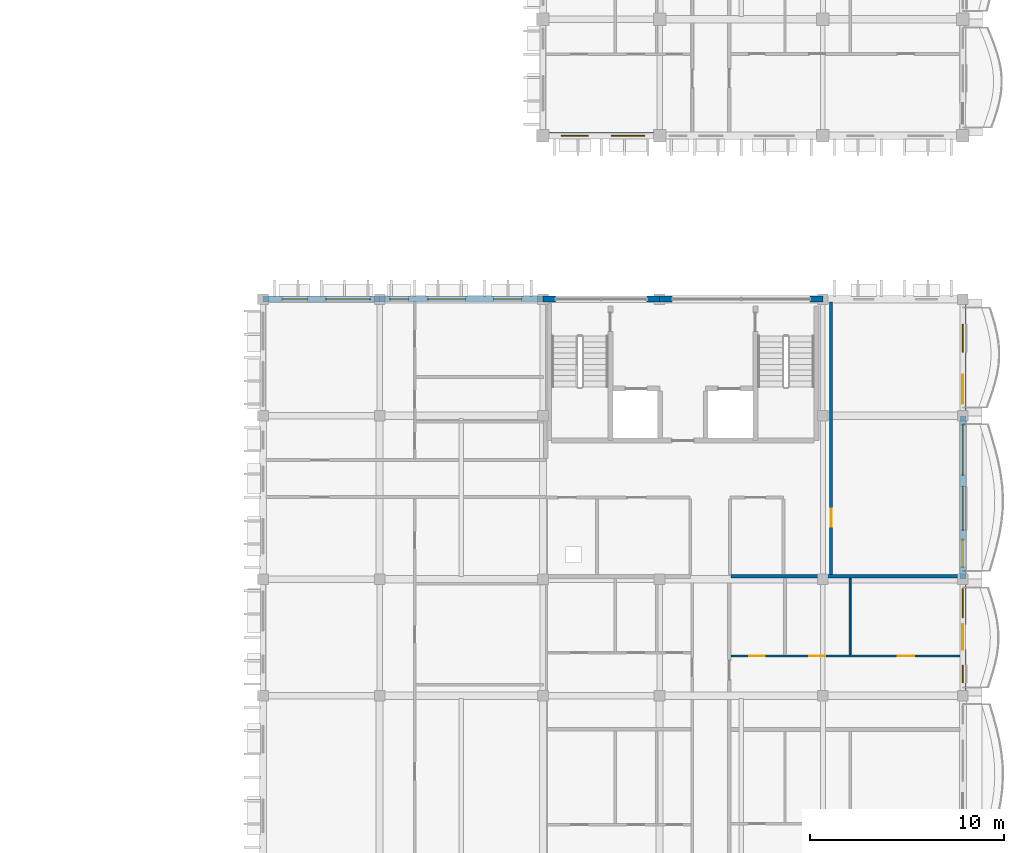
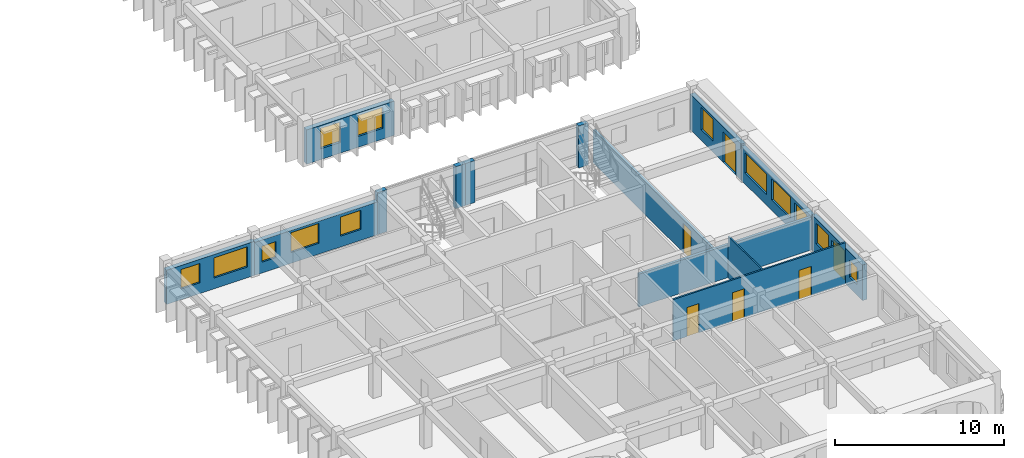
# One storey, part 34 of 70: 14 walls, 12 windows, 7 doors, 19 openings.
"""IFC4 building model written with IfcOpenShell, lengths in metres."""

from ifc_helpers import new_model, si_unit, direction, frame, frame_2d, origin, place, context, subcontext, project, spatial, rectangle, extrude, material, layer, layer_set, type_object, element, fill, save


model = new_model("IFC4")

# Units and contexts
model_context = context("Model", 3, precision=1e-05, world=origin(), true_north=direction((0.0, 1.0)))
body_context = subcontext(model_context, "Body", "Model", "MODEL_VIEW")
ifc_project = project(units=[si_unit("LENGTHUNIT", "METRE"), si_unit("AREAUNIT", "SQUARE_METRE"), si_unit("VOLUMEUNIT", "CUBIC_METRE"), si_unit("PLANEANGLEUNIT", "RADIAN"), si_unit("MASSUNIT", "GRAM", prefix="KILO"), si_unit("THERMODYNAMICTEMPERATUREUNIT", "KELVIN")], contexts=[model_context])

# Site, building, storey
site_placement = place(None, origin())
site = spatial("IfcSite", under=ifc_project, at=site_placement, CompositionType="ELEMENT")
building_placement = place(site_placement, origin())
building = spatial("IfcBuilding", under=site, at=building_placement, Name="Thalorik Housing Commons", CompositionType="ELEMENT")
storey_placement = place(building_placement, frame((0.0, 0.0, 14.699951171875)))
storey = spatial("IfcBuildingStorey", under=building, at=storey_placement, Name="L04", CompositionType="ELEMENT", Elevation=14.699951171875)

# Wall, opening, door
ifc_material_1 = material(Name="Masonry fire-rated corridor wall", Category="masonry")
ifc_layer_1 = layer(ifc_material_1, 0.14990234375, Name="Masonry fire-rated corridor wall", Category="masonry")
ifc_layer_set_1 = layer_set([ifc_layer_1], Name="Masonry fire-rated corridor wall")
wall_type_1 = type_object("IfcWallType", Name="ARC-WAL-CORR-150", PredefinedType="PARTITIONING", material=ifc_layer_set_1)
wall_1_placement = place(storey_placement, frame((167.219970703125, 57.83447265625, 0.0), z_axis=(0.0, 0.0, 1.0), x_axis=(0.0, 1.0, 0.0)))
wall_1 = element("IfcWall", 1, at=wall_1_placement, inside=storey, type_object=wall_type_1, Name="L04 Block D East Studio Wall", PredefinedType="PARTITIONING", context=body_context, shape_type="SweptSolid", body=[
    extrude(rectangle(XDim=14.025634765625, YDim=0.14990234375, at=frame_2d((7.0126953125, 0.0))), origin(), (0.0, 0.0, 1.0), 2.425048828125),
])
opening_1_placement = place(wall_1_placement, frame((2.45556640625, 0.0, 0.0)))
opening_1 = element("IfcOpeningElement", 2, at=opening_1_placement, cuts=wall_1, Name="Opening ID-2066", PredefinedType="OPENING", context=body_context, shape_type="SweptSolid", body=[
    extrude(rectangle(XDim=0.919921875, YDim=2.10009765625, at=frame_2d((0.4599609375, 1.050048828125))), frame((0.0, 0.0849609375, 0.0), z_axis=(0.0, -1.0, 0.0), x_axis=(1.0, 0.0, 0.0)), (0.0, 0.0, 1.0), 0.169921875),
])
ifc_material_2 = material(Name="Solid core hardwood timber", Category="wood")
door_type_1 = type_object("IfcDoorType", Name="ARC-DR-FD30-920", OperationType="NOTDEFINED", PredefinedType="DOOR", material=ifc_material_2)
door_1_placement = place(opening_1_placement, origin())
door_1 = element("IfcDoor", 3, at=door_1_placement, inside=storey, type_object=door_type_1, Name="L04 Block D East Room Door", OperationType="SINGLE_SWING_LEFT", OverallHeight=2.10009765625, OverallWidth=0.919921875, PredefinedType="DOOR", context=body_context, shape_type="SweptSolid", body=[
    extrude(rectangle(XDim=0.919921875, YDim=2.10009765625, at=frame_2d((0.4599609375, 1.050048828125))), frame((0.0, 0.02490234375, 0.0), z_axis=(0.0, -1.0, 0.0), x_axis=(1.0, 0.0, 0.0)), (0.0, 0.0, 1.0), 0.050048828125),
])
fill(opening_1, door_1)

# Wall, openings, windows
ifc_material_3 = material(Name="White precast concrete C40/50", Category="concrete")
ifc_layer_2 = layer(ifc_material_3, 0.304931640625, Name="White precast concrete C40/50", Category="concrete")
ifc_layer_set_2 = layer_set([ifc_layer_2], Name="White precast concrete C40/50")
wall_type_2 = type_object("IfcWallType", Name="ARC-WAL-EXT-305", PredefinedType="STANDARD", material=ifc_layer_set_2)
wall_2_placement = place(storey_placement, frame((152.39990234375, 72.0, 0.0), z_axis=(0.0, 0.0, 1.0), x_axis=(-1.0, 0.0, 0.0)))
wall_2 = element("IfcWall", 4, at=wall_2_placement, inside=storey, type_object=wall_type_2, Name="L04 Exterior Wall WAL-EXT-L04-D-1185", PredefinedType="STANDARD", context=body_context, shape_type="SweptSolid", body=[
    extrude(rectangle(XDim=8.39990234375, YDim=0.304931640625, at=frame_2d((4.199951171875, 0.0))), origin(), (0.0, 0.0, 1.0), 2.375),
])
opening_2_placement = place(wall_2_placement, frame((1.114990234375, 0.0, 0.780029296875)))
opening_2 = element("IfcOpeningElement", 5, at=opening_2_placement, cuts=wall_2, Name="Opening W-50", PredefinedType="OPENING", context=body_context, shape_type="SweptSolid", body=[
    extrude(rectangle(XDim=1.419921875, YDim=1.3798828125, at=frame_2d((0.7099609375, 0.68994140625))), frame((0.0, 0.16259765625, 0.0), z_axis=(0.0, -1.0, 0.0), x_axis=(1.0, 0.0, 0.0)), (0.0, 0.0, 1.0), 0.324951171875),
])
opening_3_placement = place(wall_2_placement, frame((3.99462890625, 0.0, 0.780029296875)))
opening_3 = element("IfcOpeningElement", 6, at=opening_3_placement, cuts=wall_2, Name="Opening W-60", PredefinedType="OPENING", context=body_context, shape_type="SweptSolid", body=[
    extrude(rectangle(XDim=1.919921875, YDim=1.43994140625, at=frame_2d((0.9599609375, 0.719970703125))), frame((0.0, 0.16259765625, 0.0), z_axis=(0.0, -1.0, 0.0), x_axis=(1.0, 0.0, 0.0)), (0.0, 0.0, 1.0), 0.324951171875),
])
opening_4_placement = place(wall_2_placement, frame((6.9248046875, 0.0, 0.780029296875)))
opening_4 = element("IfcOpeningElement", 7, at=opening_4_placement, cuts=wall_2, Name="Opening W-43", PredefinedType="OPENING", context=body_context, shape_type="SweptSolid", body=[
    extrude(rectangle(XDim=0.949951171875, YDim=1.14990234375, at=frame_2d((0.47509765625, 0.574951171875))), frame((0.0, 0.16259765625, 0.0), z_axis=(0.0, -1.0, 0.0), x_axis=(1.0, 0.0, 0.0)), (0.0, 0.0, 1.0), 0.324951171875),
])
ifc_material_4 = material(Name="Anodised aluminium and solar-control low-E glass", Category="aluminium")
window_type_1 = type_object("IfcWindowType", Name="ARC-WIN-43", PartitioningType="SINGLE_PANEL", PredefinedType="WINDOW", material=ifc_material_4)
window_1_placement = place(opening_4_placement, origin())
window_1 = element("IfcWindow", 8, at=window_1_placement, inside=storey, type_object=window_type_1, Name="L04 Facade Window 2167", OverallHeight=1.14990234375, OverallWidth=0.949951171875, PartitioningType="SINGLE_PANEL", PredefinedType="WINDOW", context=body_context, shape_type="SweptSolid", body=[
    extrude(rectangle(XDim=0.949951171875, YDim=1.14990234375, at=frame_2d((0.47509765625, 0.574951171875))), frame((0.0, 0.030029296875, 0.0), z_axis=(0.0, -1.0, 0.0), x_axis=(1.0, 0.0, 0.0)), (0.0, 0.0, 1.0), 0.06005859375),
])
fill(opening_4, window_1)
window_type_2 = type_object("IfcWindowType", Name="ARC-WIN-50", PartitioningType="SINGLE_PANEL", PredefinedType="WINDOW", material=ifc_material_4)
window_2_placement = place(opening_2_placement, origin())
window_2 = element("IfcWindow", 9, at=window_2_placement, inside=storey, type_object=window_type_2, Name="L04 Facade Window 2165", OverallHeight=1.3798828125, OverallWidth=1.419921875, PartitioningType="SINGLE_PANEL", PredefinedType="WINDOW", context=body_context, shape_type="SweptSolid", body=[
    extrude(rectangle(XDim=1.419921875, YDim=1.3798828125, at=frame_2d((0.7099609375, 0.68994140625))), frame((0.0, 0.030029296875, 0.0), z_axis=(0.0, -1.0, 0.0), x_axis=(1.0, 0.0, 0.0)), (0.0, 0.0, 1.0), 0.06005859375),
])
fill(opening_2, window_2)
window_type_3 = type_object("IfcWindowType", Name="ARC-WIN-60", PartitioningType="DOUBLE_PANEL_VERTICAL", PredefinedType="WINDOW", material=ifc_material_4)
window_3_placement = place(opening_3_placement, origin())
window_3 = element("IfcWindow", 10, at=window_3_placement, inside=storey, type_object=window_type_3, Name="L04 Facade Window 2166", OverallHeight=1.43994140625, OverallWidth=1.919921875, PartitioningType="DOUBLE_PANEL_VERTICAL", PredefinedType="WINDOW", context=body_context, shape_type="SweptSolid", body=[
    extrude(rectangle(XDim=1.919921875, YDim=1.43994140625, at=frame_2d((0.9599609375, 0.719970703125))), frame((0.0, 0.030029296875, 0.0), z_axis=(0.0, -1.0, 0.0), x_axis=(1.0, 0.0, 0.0)), (0.0, 0.0, 1.0), 0.06005859375),
])
fill(opening_3, window_3)

wall_3_placement = place(storey_placement, frame((144.0, 72.0, 0.0), z_axis=(0.0, 0.0, 1.0), x_axis=(-1.0, 0.0, 0.0)))
wall_3 = element("IfcWall", 11, at=wall_3_placement, inside=storey, type_object=wall_type_2, Name="L04 Exterior Wall WAL-EXT-L04-D-1186", PredefinedType="STANDARD", context=body_context, shape_type="SweptSolid", body=[
    extrude(rectangle(XDim=6.0, YDim=0.304931640625, at=frame_2d((3.0, 0.0))), origin(), (0.0, 0.0, 1.0), 2.47509765625),
])
opening_5_placement = place(wall_3_placement, frame((0.489990234375, 0.0, 0.780029296875)))
opening_5 = element("IfcOpeningElement", 12, at=opening_5_placement, cuts=wall_3, Name="Opening W-67", PredefinedType="OPENING", context=body_context, shape_type="SweptSolid", body=[
    extrude(rectangle(XDim=2.280029296875, YDim=1.4599609375, at=frame_2d((1.14013671875, 0.72998046875))), frame((0.0, 0.16259765625, 0.0), z_axis=(0.0, -1.0, 0.0), x_axis=(1.0, 0.0, 0.0)), (0.0, 0.0, 1.0), 0.324951171875),
])
opening_6_placement = place(wall_3_placement, frame((3.719970703125, 0.0, 0.780029296875)))
opening_6 = element("IfcOpeningElement", 13, at=opening_6_placement, cuts=wall_3, Name="Opening W-06", PredefinedType="OPENING", context=body_context, shape_type="SweptSolid", body=[
    extrude(rectangle(XDim=1.300048828125, YDim=1.39990234375, at=frame_2d((0.64990234375, 0.699951171875))), frame((0.0, 0.16259765625, 0.0), z_axis=(0.0, -1.0, 0.0), x_axis=(1.0, 0.0, 0.0)), (0.0, 0.0, 1.0), 0.324951171875),
])
window_type_4 = type_object("IfcWindowType", Name="ARC-WIN-06", PartitioningType="SINGLE_PANEL", PredefinedType="WINDOW", material=ifc_material_4)
window_4_placement = place(opening_6_placement, origin())
window_4 = element("IfcWindow", 14, at=window_4_placement, inside=storey, type_object=window_type_4, Name="L04 Facade Window 2169", OverallHeight=1.39990234375, OverallWidth=1.300048828125, PartitioningType="SINGLE_PANEL", PredefinedType="WINDOW", context=body_context, shape_type="SweptSolid", body=[
    extrude(rectangle(XDim=1.300048828125, YDim=1.39990234375, at=frame_2d((0.64990234375, 0.699951171875))), frame((0.0, 0.030029296875, 0.0), z_axis=(0.0, -1.0, 0.0), x_axis=(1.0, 0.0, 0.0)), (0.0, 0.0, 1.0), 0.06005859375),
])
fill(opening_6, window_4)
window_type_5 = type_object("IfcWindowType", Name="ARC-WIN-67", PartitioningType="DOUBLE_PANEL_VERTICAL", PredefinedType="WINDOW", material=ifc_material_4)
window_5_placement = place(opening_5_placement, origin())
window_5 = element("IfcWindow", 15, at=window_5_placement, inside=storey, type_object=window_type_5, Name="L04 Facade Window 2168", OverallHeight=1.4599609375, OverallWidth=2.280029296875, PartitioningType="DOUBLE_PANEL_VERTICAL", PredefinedType="WINDOW", context=body_context, shape_type="SweptSolid", body=[
    extrude(rectangle(XDim=2.280029296875, YDim=1.4599609375, at=frame_2d((1.14013671875, 0.72998046875))), frame((0.0, 0.030029296875, 0.0), z_axis=(0.0, -1.0, 0.0), x_axis=(1.0, 0.0, 0.0)), (0.0, 0.0, 1.0), 0.06005859375),
])
fill(opening_5, window_5)

# Wall, openings, door, windows
wall_4_placement = place(storey_placement, frame((174.0, 51.60009765625, 0.0), z_axis=(0.0, 0.0, 1.0), x_axis=(0.0, 1.0, 0.0)))
wall_4 = element("IfcWall", 16, at=wall_4_placement, inside=storey, type_object=wall_type_2, Name="L04 Exterior Wall WAL-EXT-L04-D-1199", PredefinedType="STANDARD", context=body_context, shape_type="SweptSolid", body=[
    extrude(rectangle(XDim=6.0, YDim=0.304931640625, at=frame_2d((3.0, 0.0))), origin(), (0.0, 0.0, 1.0), 2.574951171875),
])
opening_7_placement = place(wall_4_placement, frame((2.377685546875, 0.0, 0.0)))
opening_7 = element("IfcOpeningElement", 17, at=opening_7_placement, cuts=wall_4, Name="Opening ED-0403", PredefinedType="OPENING", context=body_context, shape_type="SweptSolid", body=[
    extrude(rectangle(XDim=1.300048828125, YDim=2.14990234375, at=frame_2d((0.64990234375, 1.074951171875))), frame((0.0, 0.16259765625, 0.0), z_axis=(0.0, -1.0, 0.0), x_axis=(1.0, 0.0, 0.0)), (0.0, 0.0, 1.0), 0.324951171875),
])
opening_8_placement = place(wall_4_placement, frame((0.668701171875, 0.0, 0.780029296875)))
opening_8 = element("IfcOpeningElement", 18, at=opening_8_placement, cuts=wall_4, Name="Opening W-01", PredefinedType="OPENING", context=body_context, shape_type="SweptSolid", body=[
    extrude(rectangle(XDim=0.89990234375, YDim=1.199951171875, at=frame_2d((0.449951171875, 0.60009765625))), frame((0.0, 0.16259765625, 0.0), z_axis=(0.0, -1.0, 0.0), x_axis=(1.0, 0.0, 0.0)), (0.0, 0.0, 1.0), 0.324951171875),
])
opening_9_placement = place(wall_4_placement, frame((4.018798828125, 0.0, 0.780029296875)))
opening_9 = element("IfcOpeningElement", 19, at=opening_9_placement, cuts=wall_4, Name="Opening W-10", PredefinedType="OPENING", context=body_context, shape_type="SweptSolid", body=[
    extrude(rectangle(XDim=1.5, YDim=1.5, at=frame_2d((0.75, 0.75))), frame((0.0, 0.16259765625, 0.0), z_axis=(0.0, -1.0, 0.0), x_axis=(1.0, 0.0, 0.0)), (0.0, 0.0, 1.0), 0.324951171875),
])
ifc_material_5 = material(Name="Anodised aluminium and laminated safety glass", Category="aluminium")
door_type_2 = type_object("IfcDoorType", Name="ARC-DR-BAL-1300", OperationType="NOTDEFINED", PredefinedType="DOOR", material=ifc_material_5)
door_2_placement = place(opening_7_placement, frame((1.300048828125, 0.0, 0.0), z_axis=(0.0, 0.0, 1.0), x_axis=(-1.0, 0.0, 0.0)))
door_2 = element("IfcDoor", 20, at=door_2_placement, inside=storey, type_object=door_type_2, Name="L04 Block D Balcony Glazed Door", OperationType="SINGLE_SWING_RIGHT", OverallHeight=2.14990234375, OverallWidth=1.300048828125, PredefinedType="DOOR", context=body_context, shape_type="SweptSolid", body=[
    extrude(rectangle(XDim=1.300048828125, YDim=2.14990234375, at=frame_2d((0.64990234375, 1.074951171875))), frame((0.0, 0.02490234375, 0.0), z_axis=(0.0, -1.0, 0.0), x_axis=(1.0, 0.0, 0.0)), (0.0, 0.0, 1.0), 0.050048828125),
])
fill(opening_7, door_2)
window_type_6 = type_object("IfcWindowType", Name="ARC-WIN-01", PartitioningType="SINGLE_PANEL", PredefinedType="WINDOW", material=ifc_material_4)
window_6_placement = place(opening_8_placement, origin())
window_6 = element("IfcWindow", 21, at=window_6_placement, inside=storey, type_object=window_type_6, Name="L04 Facade Window 2194", OverallHeight=1.199951171875, OverallWidth=0.89990234375, PartitioningType="SINGLE_PANEL", PredefinedType="WINDOW", context=body_context, shape_type="SweptSolid", body=[
    extrude(rectangle(XDim=0.89990234375, YDim=1.199951171875, at=frame_2d((0.449951171875, 0.60009765625))), frame((0.0, 0.030029296875, 0.0), z_axis=(0.0, -1.0, 0.0), x_axis=(1.0, 0.0, 0.0)), (0.0, 0.0, 1.0), 0.06005859375),
])
fill(opening_8, window_6)
window_type_7 = type_object("IfcWindowType", Name="ARC-WIN-10", PartitioningType="SINGLE_PANEL", PredefinedType="WINDOW", material=ifc_material_4)
window_7_placement = place(opening_9_placement, origin())
window_7 = element("IfcWindow", 22, at=window_7_placement, inside=storey, type_object=window_type_7, Name="L04 Facade Window 2195", OverallHeight=1.5, OverallWidth=1.5, PartitioningType="SINGLE_PANEL", PredefinedType="WINDOW", context=body_context, shape_type="SweptSolid", body=[
    extrude(rectangle(XDim=1.5, YDim=1.5, at=frame_2d((0.75, 0.75))), frame((0.0, 0.030029296875, 0.0), z_axis=(0.0, -1.0, 0.0), x_axis=(1.0, 0.0, 0.0)), (0.0, 0.0, 1.0), 0.06005859375),
])
fill(opening_9, window_7)

wall_5_placement = place(storey_placement, frame((174.0, 57.60009765625, 0.0), z_axis=(0.0, 0.0, 1.0), x_axis=(0.0, 1.0, 0.0)))
wall_5 = element("IfcWall", 23, at=wall_5_placement, inside=storey, type_object=wall_type_2, Name="L04 Exterior Wall WAL-EXT-L04-D-1200", PredefinedType="STANDARD", context=body_context, shape_type="SweptSolid", body=[
    extrude(rectangle(XDim=8.39990234375, YDim=0.304931640625, at=frame_2d((4.199951171875, 0.0))), origin(), (0.0, 0.0, 1.0), 2.425048828125),
])
opening_10_placement = place(wall_5_placement, frame((0.6201171875, 0.0, 0.0)))
opening_10 = element("IfcOpeningElement", 24, at=opening_10_placement, cuts=wall_5, Name="Opening ED-0404", PredefinedType="OPENING", context=body_context, shape_type="SweptSolid", body=[
    extrude(rectangle(XDim=1.39990234375, YDim=2.199951171875, at=frame_2d((0.699951171875, 1.10009765625))), frame((0.0, 0.16259765625, 0.0), z_axis=(0.0, -1.0, 0.0), x_axis=(1.0, 0.0, 0.0)), (0.0, 0.0, 1.0), 0.324951171875),
])
opening_11_placement = place(wall_5_placement, frame((2.52001953125, 0.0, 0.780029296875)))
opening_11 = element("IfcOpeningElement", 25, at=opening_11_placement, cuts=wall_5, Name="Opening W-66", PredefinedType="OPENING", context=body_context, shape_type="SweptSolid", body=[
    extrude(rectangle(XDim=2.239990234375, YDim=1.52001953125, at=frame_2d((1.1201171875, 0.760009765625))), frame((0.0, 0.16259765625, 0.0), z_axis=(0.0, -1.0, 0.0), x_axis=(1.0, 0.0, 0.0)), (0.0, 0.0, 1.0), 0.324951171875),
])
opening_12_placement = place(wall_5_placement, frame((5.35009765625, 0.0, 0.780029296875)))
opening_12 = element("IfcOpeningElement", 26, at=opening_12_placement, cuts=wall_5, Name="Opening W-73", PredefinedType="OPENING", context=body_context, shape_type="SweptSolid", body=[
    extrude(rectangle(XDim=2.580078125, YDim=1.47998046875, at=frame_2d((1.2900390625, 0.739990234375))), frame((0.0, 0.16259765625, 0.0), z_axis=(0.0, -1.0, 0.0), x_axis=(1.0, 0.0, 0.0)), (0.0, 0.0, 1.0), 0.324951171875),
])
door_type_3 = type_object("IfcDoorType", Name="ARC-DR-BAL-1400", OperationType="NOTDEFINED", PredefinedType="DOOR", material=ifc_material_5)
door_3_placement = place(opening_10_placement, frame((1.39990234375, 0.0, 0.0), z_axis=(0.0, 0.0, 1.0), x_axis=(-1.0, 0.0, 0.0)))
door_3 = element("IfcDoor", 27, at=door_3_placement, inside=storey, type_object=door_type_3, Name="L04 Block D Balcony Glazed Door", OperationType="SLIDING_TO_LEFT", OverallHeight=2.199951171875, OverallWidth=1.39990234375, PredefinedType="DOOR", context=body_context, shape_type="SweptSolid", body=[
    extrude(rectangle(XDim=1.39990234375, YDim=2.199951171875, at=frame_2d((0.699951171875, 1.10009765625))), frame((0.0, 0.02490234375, 0.0), z_axis=(0.0, -1.0, 0.0), x_axis=(1.0, 0.0, 0.0)), (0.0, 0.0, 1.0), 0.050048828125),
])
fill(opening_10, door_3)
window_type_8 = type_object("IfcWindowType", Name="ARC-WIN-66", PartitioningType="DOUBLE_PANEL_VERTICAL", PredefinedType="WINDOW", material=ifc_material_4)
window_8_placement = place(opening_11_placement, origin())
window_8 = element("IfcWindow", 28, at=window_8_placement, inside=storey, type_object=window_type_8, Name="L04 Facade Window 2196", OverallHeight=1.52001953125, OverallWidth=2.239990234375, PartitioningType="DOUBLE_PANEL_VERTICAL", PredefinedType="WINDOW", context=body_context, shape_type="SweptSolid", body=[
    extrude(rectangle(XDim=2.239990234375, YDim=1.52001953125, at=frame_2d((1.1201171875, 0.760009765625))), frame((0.0, 0.030029296875, 0.0), z_axis=(0.0, -1.0, 0.0), x_axis=(1.0, 0.0, 0.0)), (0.0, 0.0, 1.0), 0.06005859375),
])
fill(opening_11, window_8)
window_type_9 = type_object("IfcWindowType", Name="ARC-WIN-73", PartitioningType="DOUBLE_PANEL_VERTICAL", PredefinedType="WINDOW", material=ifc_material_4)
window_9_placement = place(opening_12_placement, origin())
window_9 = element("IfcWindow", 29, at=window_9_placement, inside=storey, type_object=window_type_9, Name="L04 Facade Window 2197", OverallHeight=1.47998046875, OverallWidth=2.580078125, PartitioningType="DOUBLE_PANEL_VERTICAL", PredefinedType="WINDOW", context=body_context, shape_type="SweptSolid", body=[
    extrude(rectangle(XDim=2.580078125, YDim=1.47998046875, at=frame_2d((1.2900390625, 0.739990234375))), frame((0.0, 0.030029296875, 0.0), z_axis=(0.0, -1.0, 0.0), x_axis=(1.0, 0.0, 0.0)), (0.0, 0.0, 1.0), 0.06005859375),
])
fill(opening_12, window_9)

# Wall, openings, door, window
wall_6_placement = place(storey_placement, frame((174.0, 66.0, 0.0), z_axis=(0.0, 0.0, 1.0), x_axis=(0.0, 1.0, 0.0)))
wall_6 = element("IfcWall", 30, at=wall_6_placement, inside=storey, type_object=wall_type_2, Name="L04 Exterior Wall WAL-EXT-L04-D-1201", PredefinedType="STANDARD", context=body_context, shape_type="SweptSolid", body=[
    extrude(rectangle(XDim=6.0, YDim=0.304931640625, at=frame_2d((3.0, 0.0))), origin(), (0.0, 0.0, 1.0), 2.574951171875),
])
opening_13_placement = place(wall_6_placement, frame((0.6201171875, 0.0, 0.0)))
opening_13 = element("IfcOpeningElement", 31, at=opening_13_placement, cuts=wall_6, Name="Opening ED-0405", PredefinedType="OPENING", context=body_context, shape_type="SweptSolid", body=[
    extrude(rectangle(XDim=1.5, YDim=2.199951171875, at=frame_2d((0.75, 1.10009765625))), frame((0.0, 0.16259765625, 0.0), z_axis=(0.0, -1.0, 0.0), x_axis=(1.0, 0.0, 0.0)), (0.0, 0.0, 1.0), 0.324951171875),
])
opening_14_placement = place(wall_6_placement, frame((3.264892578125, 0.0, 0.780029296875)))
opening_14 = element("IfcOpeningElement", 32, at=opening_14_placement, cuts=wall_6, Name="Opening W-09", PredefinedType="OPENING", context=body_context, shape_type="SweptSolid", body=[
    extrude(rectangle(XDim=1.449951171875, YDim=1.60009765625, at=frame_2d((0.72509765625, 0.800048828125))), frame((0.0, 0.16259765625, 0.0), z_axis=(0.0, -1.0, 0.0), x_axis=(1.0, 0.0, 0.0)), (0.0, 0.0, 1.0), 0.324951171875),
])
door_type_4 = type_object("IfcDoorType", Name="ARC-DR-BAL-1500", OperationType="NOTDEFINED", PredefinedType="DOOR", material=ifc_material_5)
door_4_placement = place(opening_13_placement, frame((1.5, 0.0, 0.0), z_axis=(0.0, 0.0, 1.0), x_axis=(-1.0, 0.0, 0.0)))
door_4 = element("IfcDoor", 33, at=door_4_placement, inside=storey, type_object=door_type_4, Name="L04 Block D Balcony Glazed Door", OperationType="SLIDING_TO_RIGHT", OverallHeight=2.199951171875, OverallWidth=1.5, PredefinedType="DOOR", context=body_context, shape_type="SweptSolid", body=[
    extrude(rectangle(XDim=1.5, YDim=2.199951171875, at=frame_2d((0.75, 1.10009765625))), frame((0.0, 0.02490234375, 0.0), z_axis=(0.0, -1.0, 0.0), x_axis=(1.0, 0.0, 0.0)), (0.0, 0.0, 1.0), 0.050048828125),
])
fill(opening_13, door_4)
window_type_10 = type_object("IfcWindowType", Name="ARC-WIN-09", PartitioningType="SINGLE_PANEL", PredefinedType="WINDOW", material=ifc_material_4)
window_10_placement = place(opening_14_placement, origin())
window_10 = element("IfcWindow", 34, at=window_10_placement, inside=storey, type_object=window_type_10, Name="L04 Facade Window 2198", OverallHeight=1.60009765625, OverallWidth=1.449951171875, PartitioningType="SINGLE_PANEL", PredefinedType="WINDOW", context=body_context, shape_type="SweptSolid", body=[
    extrude(rectangle(XDim=1.449951171875, YDim=1.60009765625, at=frame_2d((0.72509765625, 0.800048828125))), frame((0.0, 0.030029296875, 0.0), z_axis=(0.0, -1.0, 0.0), x_axis=(1.0, 0.0, 0.0)), (0.0, 0.0, 1.0), 0.06005859375),
])
fill(opening_14, window_10)

# Walls
for number, where, z_axis, x_axis, name in (
    (35, (166.800048828125, 72.0, 0.0), (0.0, 0.0, 1.0), (-1.0, 0.0, 0.0), "L04 Exterior Wall WAL-PIERL-L04-D-1203"),
    (36, (159.050048828125, 72.0, 0.0), (0.0, 0.0, 1.0), (-1.0, 0.0, 0.0), "L04 Exterior Wall WAL-PIERR-L04-D-1203"),
):
    element("IfcWall", number, at=place(storey_placement, frame(where, z_axis=z_axis, x_axis=x_axis)), inside=storey, type_object=wall_type_2, Name=name, PredefinedType="STANDARD", context=body_context, shape_type="SweptSolid", body=[
        extrude(rectangle(XDim=0.650146484375, YDim=0.304931640625, at=frame_2d((0.3251953125, 0.0))), origin(), (0.0, 0.0, 1.0), 3.0400390625),
    ])
wall_7_placement = place(storey_placement, frame((158.39990234375, 72.0, 0.0), z_axis=(0.0, 0.0, 1.0), x_axis=(-1.0, 0.0, 0.0)))
element("IfcWall", 37, at=wall_7_placement, inside=storey, type_object=wall_type_2, Name="L04 Exterior Wall WAL-PIERL-L04-D-1204", PredefinedType="STANDARD", context=body_context, shape_type="SweptSolid", body=[
    extrude(rectangle(XDim=0.64990234375, YDim=0.304931640625, at=frame_2d((0.324951171875, 0.0))), origin(), (0.0, 0.0, 1.0), 3.0400390625),
])
wall_8_placement = place(storey_placement, frame((153.050048828125, 72.0, 0.0), z_axis=(0.0, 0.0, 1.0), x_axis=(-1.0, 0.0, 0.0)))
element("IfcWall", 38, at=wall_8_placement, inside=storey, type_object=wall_type_2, Name="L04 Exterior Wall WAL-PIERR-L04-D-1204", PredefinedType="STANDARD", context=body_context, shape_type="SweptSolid", body=[
    extrude(rectangle(XDim=0.650146484375, YDim=0.304931640625, at=frame_2d((0.3251953125, 0.0))), origin(), (0.0, 0.0, 1.0), 3.0400390625),
])

# Wall, openings, windows
ifc_layer_3 = layer(ifc_material_3, 0.3349609375, Name="White precast concrete C40/50", Category="concrete")
ifc_layer_set_3 = layer_set([ifc_layer_3], Name="White precast concrete C40/50")
wall_type_3 = type_object("IfcWallType", Name="ARC-WAL-EXT-335", PredefinedType="STANDARD", material=ifc_layer_set_3)
wall_9_placement = place(storey_placement, frame((152.39990234375, 80.39990234375, 0.0), z_axis=(0.0, 0.0, 1.0), x_axis=(1.0, 0.0, 0.0)))
wall_9 = element("IfcWall", 39, at=wall_9_placement, inside=storey, type_object=wall_type_3, Name="L04 Exterior Wall WAL-EXT-L04-B-0552", PredefinedType="STANDARD", context=body_context, shape_type="SweptSolid", body=[
    extrude(rectangle(XDim=6.0, YDim=0.3349609375, at=frame_2d((3.0, 0.0))), origin(), (0.0, 0.0, 1.0), 2.47509765625),
])
opening_15_placement = place(wall_9_placement, frame((0.93994140625, 0.0, 0.780029296875)))
opening_15 = element("IfcOpeningElement", 40, at=opening_15_placement, cuts=wall_9, Name="Opening W-49", PredefinedType="OPENING", context=body_context, shape_type="SweptSolid", body=[
    extrude(rectangle(XDim=1.3798828125, YDim=1.47998046875, at=frame_2d((0.68994140625, 0.739990234375))), frame((0.0, 0.177490234375, 0.0), z_axis=(0.0, -1.0, 0.0), x_axis=(1.0, 0.0, 0.0)), (0.0, 0.0, 1.0), 0.35498046875),
])
opening_16_placement = place(wall_9_placement, frame((3.510009765625, 0.0, 0.780029296875)))
opening_16 = element("IfcOpeningElement", 41, at=opening_16_placement, cuts=wall_9, Name="Opening W-56", PredefinedType="OPENING", context=body_context, shape_type="SweptSolid", body=[
    extrude(rectangle(XDim=1.719970703125, YDim=1.52001953125, at=frame_2d((0.85986328125, 0.760009765625))), frame((0.0, 0.177490234375, 0.0), z_axis=(0.0, -1.0, 0.0), x_axis=(1.0, 0.0, 0.0)), (0.0, 0.0, 1.0), 0.35498046875),
])
window_type_11 = type_object("IfcWindowType", Name="ARC-WIN-49", PartitioningType="SINGLE_PANEL", PredefinedType="WINDOW", material=ifc_material_4)
window_11_placement = place(opening_15_placement, origin())
window_11 = element("IfcWindow", 42, at=window_11_placement, inside=storey, type_object=window_type_11, Name="L04 Facade Window 1001", OverallHeight=1.47998046875, OverallWidth=1.3798828125, PartitioningType="SINGLE_PANEL", PredefinedType="WINDOW", context=body_context, shape_type="SweptSolid", body=[
    extrude(rectangle(XDim=1.3798828125, YDim=1.47998046875, at=frame_2d((0.68994140625, 0.739990234375))), frame((0.0, 0.030029296875, 0.0), z_axis=(0.0, -1.0, 0.0), x_axis=(1.0, 0.0, 0.0)), (0.0, 0.0, 1.0), 0.06005859375),
])
fill(opening_15, window_11)
window_type_12 = type_object("IfcWindowType", Name="ARC-WIN-56", PartitioningType="DOUBLE_PANEL_VERTICAL", PredefinedType="WINDOW", material=ifc_material_4)
window_12_placement = place(opening_16_placement, origin())
window_12 = element("IfcWindow", 43, at=window_12_placement, inside=storey, type_object=window_type_12, Name="L04 Facade Window 1002", OverallHeight=1.52001953125, OverallWidth=1.719970703125, PartitioningType="DOUBLE_PANEL_VERTICAL", PredefinedType="WINDOW", context=body_context, shape_type="SweptSolid", body=[
    extrude(rectangle(XDim=1.719970703125, YDim=1.52001953125, at=frame_2d((0.85986328125, 0.760009765625))), frame((0.0, 0.030029296875, 0.0), z_axis=(0.0, -1.0, 0.0), x_axis=(1.0, 0.0, 0.0)), (0.0, 0.0, 1.0), 0.06005859375),
])
fill(opening_16, window_12)

# Wall
ifc_material_6 = material(Name="Gypsum light stud partition", Category="masonry")
ifc_layer_4 = layer(ifc_material_6, 0.10009765625, Name="Gypsum light stud partition", Category="masonry")
ifc_layer_set_4 = layer_set([ifc_layer_4], Name="Gypsum light stud partition")
wall_type_4 = type_object("IfcWallType", Name="ARC-WAL-PART-100", PredefinedType="PARTITIONING", material=ifc_layer_set_4)
wall_10_placement = place(storey_placement, frame((168.19921875, 53.70703125, 0.0), z_axis=(0.0, 0.0, 1.0), x_axis=(0.0, 1.0, 0.0)))
element("IfcWall", 44, at=wall_10_placement, inside=storey, type_object=wall_type_4, Name="L04 Unit 2B Bedroom Partition", PredefinedType="PARTITIONING", context=body_context, shape_type="SweptSolid", body=[
    extrude(rectangle(XDim=3.9384765625, YDim=0.10009765625, at=frame_2d((1.96923828125, 0.0))), origin(), (0.0, 0.0, 1.0), 3.0),
])

# Wall, openings, doors
ifc_material_7 = material(Name="Gypsum moisture-resistant partition", Category="masonry")
ifc_layer_5 = layer(ifc_material_7, 0.114990234375, Name="Gypsum moisture-resistant partition", Category="masonry")
ifc_layer_set_5 = layer_set([ifc_layer_5], Name="Gypsum moisture-resistant partition")
wall_type_5 = type_object("IfcWallType", Name="ARC-WAL-PART-115", PredefinedType="PARTITIONING", material=ifc_layer_set_5)
wall_11_placement = place(storey_placement, frame((162.064453125, 53.647705078125, 0.0), z_axis=(0.0, 0.0, 1.0), x_axis=(1.0, 0.0, 0.0)))
wall_11 = element("IfcWall", 45, at=wall_11_placement, inside=storey, type_object=wall_type_5, Name="L04 Unit 2B Spine Partition", PredefinedType="PARTITIONING", context=body_context, shape_type="SweptSolid", body=[
    extrude(rectangle(XDim=11.781005859375, YDim=0.114990234375, at=frame_2d((5.890625, 0.0))), origin(), (0.0, 0.0, 1.0), 3.0),
])
opening_17_placement = place(wall_11_placement, frame((0.95068359375, 0.0, 0.0)))
opening_17 = element("IfcOpeningElement", 46, at=opening_17_placement, cuts=wall_11, Name="Opening ID-2059", PredefinedType="OPENING", context=body_context, shape_type="SweptSolid", body=[
    extrude(rectangle(XDim=0.800048828125, YDim=2.10009765625, at=frame_2d((0.39990234375, 1.050048828125))), frame((0.0, 0.0673828125, 0.0), z_axis=(0.0, -1.0, 0.0), x_axis=(1.0, 0.0, 0.0)), (0.0, 0.0, 1.0), 0.135009765625),
])
opening_18_placement = place(wall_11_placement, frame((4.035400390625, 0.0, 0.0)))
opening_18 = element("IfcOpeningElement", 47, at=opening_18_placement, cuts=wall_11, Name="Opening ID-2060", PredefinedType="OPENING", context=body_context, shape_type="SweptSolid", body=[
    extrude(rectangle(XDim=0.820068359375, YDim=2.080078125, at=frame_2d((0.41015625, 1.0400390625))), frame((0.0, 0.0673828125, 0.0), z_axis=(0.0, -1.0, 0.0), x_axis=(1.0, 0.0, 0.0)), (0.0, 0.0, 1.0), 0.135009765625),
])
opening_19_placement = place(wall_11_placement, frame((8.580078125, 0.0, 0.0)))
opening_19 = element("IfcOpeningElement", 48, at=opening_19_placement, cuts=wall_11, Name="Opening ID-2061", PredefinedType="OPENING", context=body_context, shape_type="SweptSolid", body=[
    extrude(rectangle(XDim=0.85009765625, YDim=2.10009765625, at=frame_2d((0.425048828125, 1.050048828125))), frame((0.0, 0.0673828125, 0.0), z_axis=(0.0, -1.0, 0.0), x_axis=(1.0, 0.0, 0.0)), (0.0, 0.0, 1.0), 0.135009765625),
])
ifc_material_8 = material(Name="Moisture-resistant timber", Category="wood")
door_type_5 = type_object("IfcDoorType", Name="ARC-DR-INT-800", OperationType="NOTDEFINED", PredefinedType="DOOR", material=ifc_material_8)
door_5_placement = place(opening_17_placement, origin())
door_5 = element("IfcDoor", 49, at=door_5_placement, inside=storey, type_object=door_type_5, Name="L04 Flat Bathroom Door", OperationType="SINGLE_SWING_RIGHT", OverallHeight=2.10009765625, OverallWidth=0.800048828125, PredefinedType="DOOR", context=body_context, shape_type="SweptSolid", body=[
    extrude(rectangle(XDim=0.800048828125, YDim=2.10009765625, at=frame_2d((0.39990234375, 1.050048828125))), frame((0.0, 0.02490234375, 0.0), z_axis=(0.0, -1.0, 0.0), x_axis=(1.0, 0.0, 0.0)), (0.0, 0.0, 1.0), 0.050048828125),
])
fill(opening_17, door_5)
ifc_material_9 = material(Name="Engineered oak timber", Category="wood")
door_type_6 = type_object("IfcDoorType", Name="ARC-DR-INT-820", OperationType="NOTDEFINED", PredefinedType="DOOR", material=ifc_material_9)
door_6_placement = place(opening_18_placement, origin())
door_6 = element("IfcDoor", 50, at=door_6_placement, inside=storey, type_object=door_type_6, Name="L04 Galley Kitchen Door", OperationType="SINGLE_SWING_LEFT", OverallHeight=2.080078125, OverallWidth=0.820068359375, PredefinedType="DOOR", context=body_context, shape_type="SweptSolid", body=[
    extrude(rectangle(XDim=0.820068359375, YDim=2.080078125, at=frame_2d((0.41015625, 1.0400390625))), frame((0.0, 0.02490234375, 0.0), z_axis=(0.0, -1.0, 0.0), x_axis=(1.0, 0.0, 0.0)), (0.0, 0.0, 1.0), 0.050048828125),
])
fill(opening_18, door_6)
door_type_7 = type_object("IfcDoorType", Name="ARC-DR-INT-850", OperationType="NOTDEFINED", PredefinedType="DOOR", material=ifc_material_9)
door_7_placement = place(opening_19_placement, origin())
door_7 = element("IfcDoor", 51, at=door_7_placement, inside=storey, type_object=door_type_7, Name="L04 Master Bedroom Door", OperationType="SINGLE_SWING_RIGHT", OverallHeight=2.10009765625, OverallWidth=0.85009765625, PredefinedType="DOOR", context=body_context, shape_type="SweptSolid", body=[
    extrude(rectangle(XDim=0.85009765625, YDim=2.10009765625, at=frame_2d((0.425048828125, 1.050048828125))), frame((0.0, 0.02490234375, 0.0), z_axis=(0.0, -1.0, 0.0), x_axis=(1.0, 0.0, 0.0)), (0.0, 0.0, 1.0), 0.050048828125),
])
fill(opening_19, door_7)

# Wall
ifc_material_10 = material(Name="Masonry acoustic blockwork wall", Category="masonry")
ifc_layer_6 = layer(ifc_material_10, 0.18505859375, Name="Masonry acoustic blockwork wall", Category="masonry")
ifc_layer_set_6 = layer_set([ifc_layer_6], Name="Masonry acoustic blockwork wall")
wall_type_6 = type_object("IfcWallType", Name="ARC-WAL-PARTY-185", PredefinedType="PARTITIONING", material=ifc_layer_set_6)
wall_12_placement = place(storey_placement, frame((162.064453125, 57.739990234375, 0.0), z_axis=(0.0, 0.0, 1.0), x_axis=(1.0, 0.0, 0.0)))
element("IfcWall", 52, at=wall_12_placement, inside=storey, type_object=wall_type_6, Name="L04 Core End Wall B", PredefinedType="PARTITIONING", context=body_context, shape_type="SweptSolid", body=[
    extrude(rectangle(XDim=11.781005859375, YDim=0.18505859375, at=frame_2d((5.890625, 0.0))), origin(), (0.0, 0.0, 1.0), 2.375),
])

save(model, "model.ifc")
